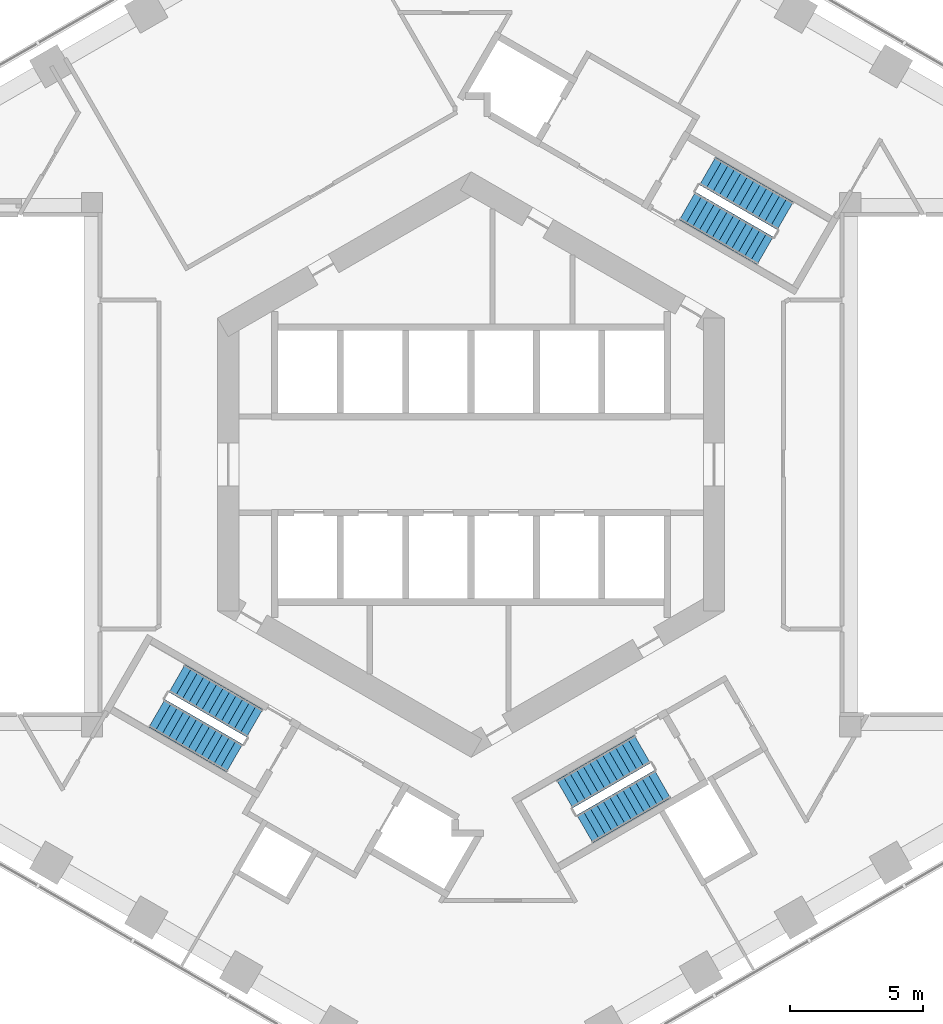
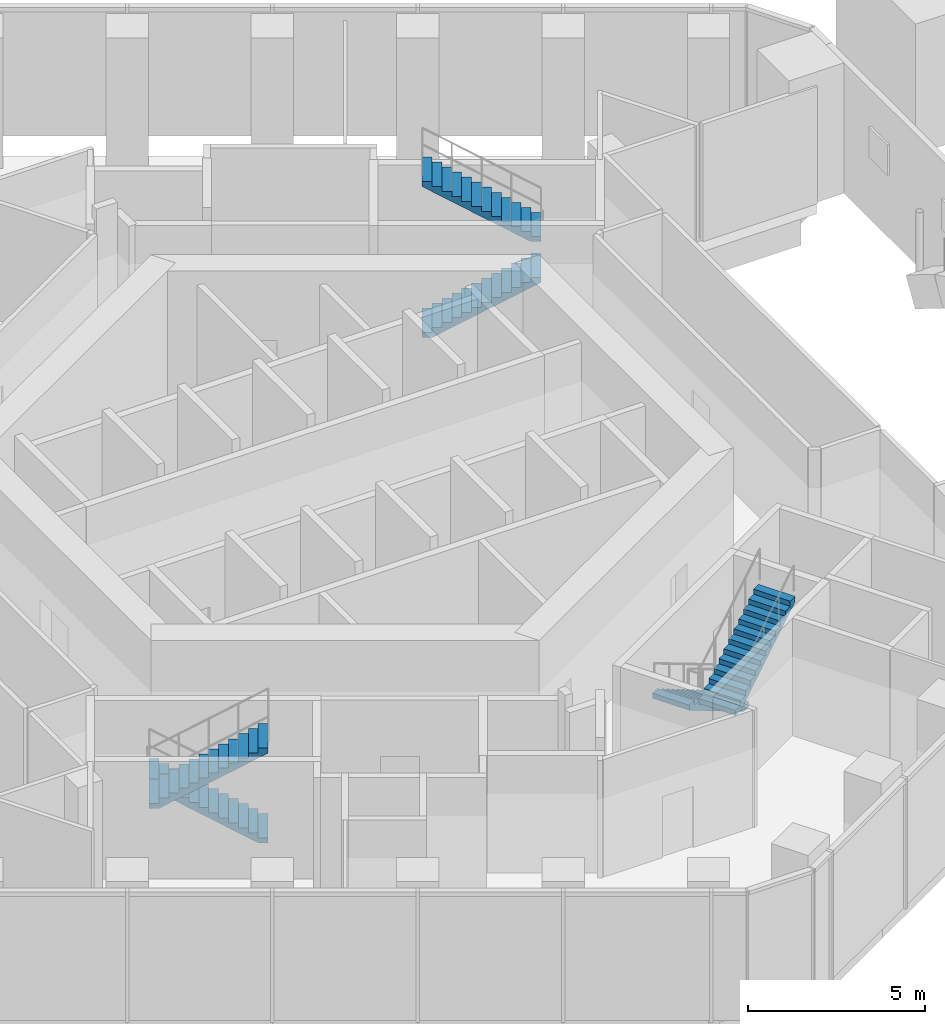
# One storey, part 12 of 14: 6 stair flights, 3 elements without a shape of their own.
"""IFC4 building model written with IfcOpenShell, lengths in metres."""

from ifc_helpers import new_model, si_unit, direction, frame, origin, place, context, subcontext, project, spatial, triangles, material, type_object, element, aggregate, save


model = new_model("IFC4")

# Units and contexts
model_context = context("Model", 3, precision=1e-05, world=origin(), true_north=direction((0.0, 1.0)))
body_context = subcontext(model_context, "Body", "Model", "MODEL_VIEW")
ifc_project = project(units=[si_unit("LENGTHUNIT", "METRE"), si_unit("AREAUNIT", "SQUARE_METRE"), si_unit("VOLUMEUNIT", "CUBIC_METRE"), si_unit("PLANEANGLEUNIT", "RADIAN"), si_unit("MASSUNIT", "GRAM", prefix="KILO")], contexts=[model_context])

# Site, building, storey
site_placement = place(None, origin())
site = spatial("IfcSite", under=ifc_project, at=site_placement, CompositionType="ELEMENT")
building_placement = place(site_placement, origin())
building = spatial("IfcBuilding", under=site, at=building_placement, Name="Ayvan Gate Tower", CompositionType="ELEMENT")
storey_placement = place(building_placement, frame((0.0, 0.0, 16.0)))
storey = spatial("IfcBuildingStorey", under=building, at=storey_placement, Name="L03", CompositionType="ELEMENT", Elevation=16.0)

# Stair, stair flights
ifc_material = material(Name="Concrete C40/50", Category="concrete")
stair_type = type_object("IfcStairType", Name="ST-EXIT", PredefinedType="HALF_TURN_STAIR", material=ifc_material)
stair_1_placement = place(storey_placement, origin())
stair_1 = element("IfcStair", 1, at=stair_1_placement, inside=storey, type_object=stair_type, Name="L03 Exit Stair S1", PredefinedType="HALF_TURN_STAIR")
stair_flight_type = type_object("IfcStairFlightType", Name="SFL-EXIT", PredefinedType="STRAIGHT", material=ifc_material)
stair_flight_1_placement = place(storey_placement, frame((8.106201171875, 9.690185546875, 0.0), z_axis=(0.0, 0.0, 1.0), x_axis=(0.866025403784, -0.5, 0.0)))
stair_flight_1 = element("IfcStairFlight", 2, at=stair_flight_1_placement, type_object=stair_flight_type, Name="STS1 flight 1", NumberOfRisers=13, NumberOfTreads=12, PredefinedType="STRAIGHT", RiserHeight=0.173076923, TreadLength=0.28, context=body_context, shape_type="Tessellation", body=[
    triangles([(0.285099, -0.599976, 0.0), (3.3605, -0.599976, 1.901004), (3.3605, -0.599976, 2.076923), (3.08, -0.599976, 2.076923), (3.08, -0.599976, 1.903846), (2.8, -0.599976, 1.903846), (2.8, -0.599976, 1.730769), (2.52, -0.599976, 1.730769), (2.52, -0.599976, 1.557692), (2.24, -0.599976, 1.557692), (2.24, -0.599976, 1.384615), (1.96, -0.599976, 1.384615), (1.96, -0.599976, 1.211538), (1.68, -0.599976, 1.211538), (1.68, -0.599976, 1.038462), (1.4, -0.599976, 1.038462), (1.4, -0.599976, 0.865385), (1.12, -0.599976, 0.865385), (1.12, -0.599976, 0.692308), (0.84, -0.599976, 0.692308), (0.84, -0.599976, 0.519231), (0.56, -0.599976, 0.519231), (0.56, -0.599976, 0.346154), (0.28, -0.599976, 0.346154), (0.28, -0.599976, 0.173077), (-0.0005, -0.599976, 0.173077), (-0.0005, -0.599976, 0.0), (0.285099, 0.0, 0.0), (3.3605, 0.0, 1.901004), (3.3605, 0.0, 2.076923), (3.08, 0.0, 2.076923), (3.08, 0.0, 1.903846), (2.8, 0.0, 1.903846), (2.8, 0.0, 1.730769), (2.52, 0.0, 1.730769), (2.52, 0.0, 1.557692), (2.24, 0.0, 1.557692), (2.24, 0.0, 1.384615), (1.96, 0.0, 1.384615), (1.96, 0.0, 1.211538), (1.68, 0.0, 1.211538), (1.68, 0.0, 1.038462), (1.4, 0.0, 1.038462), (1.4, 0.0, 0.865385), (1.12, 0.0, 0.865385), (1.12, 0.0, 0.692308), (0.84, 0.0, 0.692308), (0.84, 0.0, 0.519231), (0.56, 0.0, 0.519231), (0.56, 0.0, 0.346154), (0.28, 0.0, 0.346154), (0.28, 0.0, 0.173077), (-0.0005, 0.0, 0.173077), (-0.0005, 0.0, 0.0), (0.285099, 0.599976, 0.0), (3.3605, 0.599976, 1.901004), (3.3605, 0.599976, 2.076923), (3.08, 0.599976, 2.076923), (3.08, 0.599976, 1.903846), (2.8, 0.599976, 1.903846), (2.8, 0.599976, 1.730769), (2.52, 0.599976, 1.730769), (2.52, 0.599976, 1.557692), (2.24, 0.599976, 1.557692), (2.24, 0.599976, 1.384615), (1.96, 0.599976, 1.384615), (1.96, 0.599976, 1.211538), (1.68, 0.599976, 1.211538), (1.68, 0.599976, 1.038462), (1.4, 0.599976, 1.038462), (1.4, 0.599976, 0.865385), (1.12, 0.599976, 0.865385), (1.12, 0.599976, 0.692308), (0.84, 0.599976, 0.692308), (0.84, 0.599976, 0.519231), (0.56, 0.599976, 0.519231), (0.56, 0.599976, 0.346154), (0.28, 0.599976, 0.346154), (0.28, 0.599976, 0.173077), (-0.0005, 0.599976, 0.173077), (-0.0005, 0.599976, 0.0)], [[27, 1, 2], [81, 56, 55], [2, 3, 4], [56, 58, 57], [2, 4, 5], [56, 59, 58], [2, 5, 6], [56, 60, 59], [2, 6, 7], [56, 61, 60], [7, 8, 9], [61, 63, 62], [2, 7, 9], [56, 63, 61], [9, 10, 11], [63, 65, 64], [2, 9, 11], [56, 65, 63], [11, 12, 13], [65, 67, 66], [2, 11, 13], [56, 67, 65], [13, 14, 15], [67, 69, 68], [2, 13, 15], [56, 69, 67], [15, 16, 17], [69, 71, 70], [2, 15, 17], [56, 71, 69], [17, 18, 19], [71, 73, 72], [2, 17, 19], [56, 73, 71], [19, 20, 21], [73, 75, 74], [2, 19, 21], [56, 75, 73], [21, 22, 23], [75, 77, 76], [2, 21, 23], [56, 77, 75], [23, 24, 25], [77, 79, 78], [2, 23, 25], [56, 79, 77], [27, 2, 25], [81, 79, 56], [25, 26, 27], [79, 81, 80], [1, 28, 29], [1, 29, 2], [55, 29, 28], [55, 56, 29], [2, 29, 30], [2, 30, 3], [56, 30, 29], [56, 57, 30], [3, 30, 31], [3, 31, 4], [57, 31, 30], [57, 58, 31], [4, 31, 32], [4, 32, 5], [58, 32, 31], [58, 59, 32], [5, 32, 33], [5, 33, 6], [59, 33, 32], [59, 60, 33], [6, 33, 34], [6, 34, 7], [60, 34, 33], [60, 61, 34], [7, 34, 35], [7, 35, 8], [61, 35, 34], [61, 62, 35], [8, 35, 36], [8, 36, 9], [62, 36, 35], [62, 63, 36], [9, 36, 37], [9, 37, 10], [63, 37, 36], [63, 64, 37], [10, 37, 38], [10, 38, 11], [64, 38, 37], [64, 65, 38], [11, 38, 39], [11, 39, 12], [65, 39, 38], [65, 66, 39], [12, 39, 40], [12, 40, 13], [66, 40, 39], [66, 67, 40], [13, 40, 41], [13, 41, 14], [67, 41, 40], [67, 68, 41], [14, 41, 42], [14, 42, 15], [68, 42, 41], [68, 69, 42], [15, 42, 43], [15, 43, 16], [69, 43, 42], [69, 70, 43], [16, 43, 44], [16, 44, 17], [70, 44, 43], [70, 71, 44], [17, 44, 45], [17, 45, 18], [71, 45, 44], [71, 72, 45], [18, 45, 46], [18, 46, 19], [72, 46, 45], [72, 73, 46], [19, 46, 47], [19, 47, 20], [73, 47, 46], [73, 74, 47], [20, 47, 48], [20, 48, 21], [74, 48, 47], [74, 75, 48], [21, 48, 49], [21, 49, 22], [75, 49, 48], [75, 76, 49], [22, 49, 50], [22, 50, 23], [76, 50, 49], [76, 77, 50], [23, 50, 51], [23, 51, 24], [77, 51, 50], [77, 78, 51], [24, 51, 52], [24, 52, 25], [78, 52, 51], [78, 79, 52], [25, 52, 53], [25, 53, 26], [79, 53, 52], [79, 80, 53], [26, 53, 54], [26, 54, 27], [80, 54, 53], [80, 81, 54], [27, 54, 28], [27, 28, 1], [81, 28, 54], [81, 55, 28]], closed=True),
])
stair_flight_2_placement = place(storey_placement, frame((11.77099609375, 9.31787109375, 2.25), z_axis=(0.0, 0.0, 1.0), x_axis=(-0.866025403784, 0.5, 0.0)))
stair_flight_2 = element("IfcStairFlight", 3, at=stair_flight_2_placement, type_object=stair_flight_type, Name="STS1 flight 2", NumberOfRisers=13, NumberOfTreads=12, PredefinedType="STRAIGHT", RiserHeight=0.173076923, TreadLength=0.28, context=body_context, shape_type="Tessellation", body=[
    triangles([(0.285099, -0.599976, 0.0), (3.3605, -0.599976, 1.901004), (3.3605, -0.599976, 2.076923), (3.08, -0.599976, 2.076923), (3.08, -0.599976, 1.903846), (2.8, -0.599976, 1.903846), (2.8, -0.599976, 1.730769), (2.52, -0.599976, 1.730769), (2.52, -0.599976, 1.557692), (2.24, -0.599976, 1.557692), (2.24, -0.599976, 1.384615), (1.96, -0.599976, 1.384615), (1.96, -0.599976, 1.211538), (1.68, -0.599976, 1.211538), (1.68, -0.599976, 1.038462), (1.4, -0.599976, 1.038462), (1.4, -0.599976, 0.865385), (1.12, -0.599976, 0.865385), (1.12, -0.599976, 0.692308), (0.84, -0.599976, 0.692308), (0.84, -0.599976, 0.519231), (0.56, -0.599976, 0.519231), (0.56, -0.599976, 0.346154), (0.28, -0.599976, 0.346154), (0.28, -0.599976, 0.173077), (-0.0005, -0.599976, 0.173077), (-0.0005, -0.599976, 0.0), (0.285099, 0.0, 0.0), (3.3605, 0.0, 1.901004), (3.3605, 0.0, 2.076923), (3.08, 0.0, 2.076923), (3.08, 0.0, 1.903846), (2.8, 0.0, 1.903846), (2.8, 0.0, 1.730769), (2.52, 0.0, 1.730769), (2.52, 0.0, 1.557692), (2.24, 0.0, 1.557692), (2.24, 0.0, 1.384615), (1.96, 0.0, 1.384615), (1.96, 0.0, 1.211538), (1.68, 0.0, 1.211538), (1.68, 0.0, 1.038462), (1.4, 0.0, 1.038462), (1.4, 0.0, 0.865385), (1.12, 0.0, 0.865385), (1.12, 0.0, 0.692308), (0.84, 0.0, 0.692308), (0.84, 0.0, 0.519231), (0.56, 0.0, 0.519231), (0.56, 0.0, 0.346154), (0.28, 0.0, 0.346154), (0.28, 0.0, 0.173077), (-0.0005, 0.0, 0.173077), (-0.0005, 0.0, 0.0), (0.285099, 0.599976, 0.0), (3.3605, 0.599976, 1.901004), (3.3605, 0.599976, 2.076923), (3.08, 0.599976, 2.076923), (3.08, 0.599976, 1.903846), (2.8, 0.599976, 1.903846), (2.8, 0.599976, 1.730769), (2.52, 0.599976, 1.730769), (2.52, 0.599976, 1.557692), (2.24, 0.599976, 1.557692), (2.24, 0.599976, 1.384615), (1.96, 0.599976, 1.384615), (1.96, 0.599976, 1.211538), (1.68, 0.599976, 1.211538), (1.68, 0.599976, 1.038462), (1.4, 0.599976, 1.038462), (1.4, 0.599976, 0.865385), (1.12, 0.599976, 0.865385), (1.12, 0.599976, 0.692308), (0.84, 0.599976, 0.692308), (0.84, 0.599976, 0.519231), (0.56, 0.599976, 0.519231), (0.56, 0.599976, 0.346154), (0.28, 0.599976, 0.346154), (0.28, 0.599976, 0.173077), (-0.0005, 0.599976, 0.173077), (-0.0005, 0.599976, 0.0)], [[27, 1, 2], [81, 56, 55], [2, 3, 4], [56, 58, 57], [2, 4, 5], [56, 59, 58], [2, 5, 6], [56, 60, 59], [2, 6, 7], [56, 61, 60], [7, 8, 9], [61, 63, 62], [2, 7, 9], [56, 63, 61], [9, 10, 11], [63, 65, 64], [2, 9, 11], [56, 65, 63], [11, 12, 13], [65, 67, 66], [2, 11, 13], [56, 67, 65], [13, 14, 15], [67, 69, 68], [2, 13, 15], [56, 69, 67], [15, 16, 17], [69, 71, 70], [2, 15, 17], [56, 71, 69], [17, 18, 19], [71, 73, 72], [2, 17, 19], [56, 73, 71], [19, 20, 21], [73, 75, 74], [2, 19, 21], [56, 75, 73], [21, 22, 23], [75, 77, 76], [2, 21, 23], [56, 77, 75], [23, 24, 25], [77, 79, 78], [2, 23, 25], [56, 79, 77], [27, 2, 25], [81, 79, 56], [25, 26, 27], [79, 81, 80], [1, 28, 29], [1, 29, 2], [55, 29, 28], [55, 56, 29], [2, 29, 30], [2, 30, 3], [56, 30, 29], [56, 57, 30], [3, 30, 31], [3, 31, 4], [57, 31, 30], [57, 58, 31], [4, 31, 32], [4, 32, 5], [58, 32, 31], [58, 59, 32], [5, 32, 33], [5, 33, 6], [59, 33, 32], [59, 60, 33], [6, 33, 34], [6, 34, 7], [60, 34, 33], [60, 61, 34], [7, 34, 35], [7, 35, 8], [61, 35, 34], [61, 62, 35], [8, 35, 36], [8, 36, 9], [62, 36, 35], [62, 63, 36], [9, 36, 37], [9, 37, 10], [63, 37, 36], [63, 64, 37], [10, 37, 38], [10, 38, 11], [64, 38, 37], [64, 65, 38], [11, 38, 39], [11, 39, 12], [65, 39, 38], [65, 66, 39], [12, 39, 40], [12, 40, 13], [66, 40, 39], [66, 67, 40], [13, 40, 41], [13, 41, 14], [67, 41, 40], [67, 68, 41], [14, 41, 42], [14, 42, 15], [68, 42, 41], [68, 69, 42], [15, 42, 43], [15, 43, 16], [69, 43, 42], [69, 70, 43], [16, 43, 44], [16, 44, 17], [70, 44, 43], [70, 71, 44], [17, 44, 45], [17, 45, 18], [71, 45, 44], [71, 72, 45], [18, 45, 46], [18, 46, 19], [72, 46, 45], [72, 73, 46], [19, 46, 47], [19, 47, 20], [73, 47, 46], [73, 74, 47], [20, 47, 48], [20, 48, 21], [74, 48, 47], [74, 75, 48], [21, 48, 49], [21, 49, 22], [75, 49, 48], [75, 76, 49], [22, 49, 50], [22, 50, 23], [76, 50, 49], [76, 77, 50], [23, 50, 51], [23, 51, 24], [77, 51, 50], [77, 78, 51], [24, 51, 52], [24, 52, 25], [78, 52, 51], [78, 79, 52], [25, 52, 53], [25, 53, 26], [79, 53, 52], [79, 80, 53], [26, 53, 54], [26, 54, 27], [80, 54, 53], [80, 81, 54], [27, 54, 28], [27, 28, 1], [81, 28, 54], [81, 55, 28]], closed=True),
])
aggregate(stair_1, [stair_flight_1, stair_flight_2])

stair_2_placement = place(storey_placement, origin())
stair_2 = element("IfcStair", 4, at=stair_2_placement, inside=storey, type_object=stair_type, Name="L03 Exit Stair S2", PredefinedType="HALF_TURN_STAIR")
stair_flight_3_placement = place(storey_placement, frame((-8.106201171875, -9.690185546875, 0.0), z_axis=(0.0, 0.0, 1.0), x_axis=(-0.866025403784, 0.5, 0.0)))
stair_flight_3 = element("IfcStairFlight", 5, at=stair_flight_3_placement, type_object=stair_flight_type, Name="STS2 flight 1", NumberOfRisers=13, NumberOfTreads=12, PredefinedType="STRAIGHT", RiserHeight=0.173076923, TreadLength=0.28, context=body_context, shape_type="Tessellation", body=[
    triangles([(0.285099, -0.599976, 0.0), (3.3605, -0.599976, 1.901004), (3.3605, -0.599976, 2.076923), (3.08, -0.599976, 2.076923), (3.08, -0.599976, 1.903846), (2.8, -0.599976, 1.903846), (2.8, -0.599976, 1.730769), (2.52, -0.599976, 1.730769), (2.52, -0.599976, 1.557692), (2.24, -0.599976, 1.557692), (2.24, -0.599976, 1.384615), (1.96, -0.599976, 1.384615), (1.96, -0.599976, 1.211538), (1.68, -0.599976, 1.211538), (1.68, -0.599976, 1.038462), (1.4, -0.599976, 1.038462), (1.4, -0.599976, 0.865385), (1.12, -0.599976, 0.865385), (1.12, -0.599976, 0.692308), (0.84, -0.599976, 0.692308), (0.84, -0.599976, 0.519231), (0.56, -0.599976, 0.519231), (0.56, -0.599976, 0.346154), (0.28, -0.599976, 0.346154), (0.28, -0.599976, 0.173077), (-0.0005, -0.599976, 0.173077), (-0.0005, -0.599976, 0.0), (0.285099, 0.0, 0.0), (3.3605, 0.0, 1.901004), (3.3605, 0.0, 2.076923), (3.08, 0.0, 2.076923), (3.08, 0.0, 1.903846), (2.8, 0.0, 1.903846), (2.8, 0.0, 1.730769), (2.52, 0.0, 1.730769), (2.52, 0.0, 1.557692), (2.24, 0.0, 1.557692), (2.24, 0.0, 1.384615), (1.96, 0.0, 1.384615), (1.96, 0.0, 1.211538), (1.68, 0.0, 1.211538), (1.68, 0.0, 1.038462), (1.4, 0.0, 1.038462), (1.4, 0.0, 0.865385), (1.12, 0.0, 0.865385), (1.12, 0.0, 0.692308), (0.84, 0.0, 0.692308), (0.84, 0.0, 0.519231), (0.56, 0.0, 0.519231), (0.56, 0.0, 0.346154), (0.28, 0.0, 0.346154), (0.28, 0.0, 0.173077), (-0.0005, 0.0, 0.173077), (-0.0005, 0.0, 0.0), (0.285099, 0.599976, 0.0), (3.3605, 0.599976, 1.901004), (3.3605, 0.599976, 2.076923), (3.08, 0.599976, 2.076923), (3.08, 0.599976, 1.903846), (2.8, 0.599976, 1.903846), (2.8, 0.599976, 1.730769), (2.52, 0.599976, 1.730769), (2.52, 0.599976, 1.557692), (2.24, 0.599976, 1.557692), (2.24, 0.599976, 1.384615), (1.96, 0.599976, 1.384615), (1.96, 0.599976, 1.211538), (1.68, 0.599976, 1.211538), (1.68, 0.599976, 1.038462), (1.4, 0.599976, 1.038462), (1.4, 0.599976, 0.865385), (1.12, 0.599976, 0.865385), (1.12, 0.599976, 0.692308), (0.84, 0.599976, 0.692308), (0.84, 0.599976, 0.519231), (0.56, 0.599976, 0.519231), (0.56, 0.599976, 0.346154), (0.28, 0.599976, 0.346154), (0.28, 0.599976, 0.173077), (-0.0005, 0.599976, 0.173077), (-0.0005, 0.599976, 0.0)], [[27, 1, 2], [81, 56, 55], [2, 3, 4], [56, 58, 57], [2, 4, 5], [56, 59, 58], [2, 5, 6], [56, 60, 59], [2, 6, 7], [56, 61, 60], [7, 8, 9], [61, 63, 62], [2, 7, 9], [56, 63, 61], [9, 10, 11], [63, 65, 64], [2, 9, 11], [56, 65, 63], [11, 12, 13], [65, 67, 66], [2, 11, 13], [56, 67, 65], [13, 14, 15], [67, 69, 68], [2, 13, 15], [56, 69, 67], [15, 16, 17], [69, 71, 70], [2, 15, 17], [56, 71, 69], [17, 18, 19], [71, 73, 72], [2, 17, 19], [56, 73, 71], [19, 20, 21], [73, 75, 74], [2, 19, 21], [56, 75, 73], [21, 22, 23], [75, 77, 76], [2, 21, 23], [56, 77, 75], [23, 24, 25], [77, 79, 78], [2, 23, 25], [56, 79, 77], [27, 2, 25], [81, 79, 56], [25, 26, 27], [79, 81, 80], [1, 28, 29], [1, 29, 2], [55, 29, 28], [55, 56, 29], [2, 29, 30], [2, 30, 3], [56, 30, 29], [56, 57, 30], [3, 30, 31], [3, 31, 4], [57, 31, 30], [57, 58, 31], [4, 31, 32], [4, 32, 5], [58, 32, 31], [58, 59, 32], [5, 32, 33], [5, 33, 6], [59, 33, 32], [59, 60, 33], [6, 33, 34], [6, 34, 7], [60, 34, 33], [60, 61, 34], [7, 34, 35], [7, 35, 8], [61, 35, 34], [61, 62, 35], [8, 35, 36], [8, 36, 9], [62, 36, 35], [62, 63, 36], [9, 36, 37], [9, 37, 10], [63, 37, 36], [63, 64, 37], [10, 37, 38], [10, 38, 11], [64, 38, 37], [64, 65, 38], [11, 38, 39], [11, 39, 12], [65, 39, 38], [65, 66, 39], [12, 39, 40], [12, 40, 13], [66, 40, 39], [66, 67, 40], [13, 40, 41], [13, 41, 14], [67, 41, 40], [67, 68, 41], [14, 41, 42], [14, 42, 15], [68, 42, 41], [68, 69, 42], [15, 42, 43], [15, 43, 16], [69, 43, 42], [69, 70, 43], [16, 43, 44], [16, 44, 17], [70, 44, 43], [70, 71, 44], [17, 44, 45], [17, 45, 18], [71, 45, 44], [71, 72, 45], [18, 45, 46], [18, 46, 19], [72, 46, 45], [72, 73, 46], [19, 46, 47], [19, 47, 20], [73, 47, 46], [73, 74, 47], [20, 47, 48], [20, 48, 21], [74, 48, 47], [74, 75, 48], [21, 48, 49], [21, 49, 22], [75, 49, 48], [75, 76, 49], [22, 49, 50], [22, 50, 23], [76, 50, 49], [76, 77, 50], [23, 50, 51], [23, 51, 24], [77, 51, 50], [77, 78, 51], [24, 51, 52], [24, 52, 25], [78, 52, 51], [78, 79, 52], [25, 52, 53], [25, 53, 26], [79, 53, 52], [79, 80, 53], [26, 53, 54], [26, 54, 27], [80, 54, 53], [80, 81, 54], [27, 54, 28], [27, 28, 1], [81, 28, 54], [81, 55, 28]], closed=True),
])
stair_flight_4_placement = place(storey_placement, frame((-11.77099609375, -9.31787109375, 2.25), z_axis=(0.0, 0.0, 1.0), x_axis=(0.866025403784, -0.5, 0.0)))
stair_flight_4 = element("IfcStairFlight", 6, at=stair_flight_4_placement, type_object=stair_flight_type, Name="STS2 flight 2", NumberOfRisers=13, NumberOfTreads=12, PredefinedType="STRAIGHT", RiserHeight=0.173076923, TreadLength=0.28, context=body_context, shape_type="Tessellation", body=[
    triangles([(0.285099, -0.599976, 0.0), (3.3605, -0.599976, 1.901004), (3.3605, -0.599976, 2.076923), (3.08, -0.599976, 2.076923), (3.08, -0.599976, 1.903846), (2.8, -0.599976, 1.903846), (2.8, -0.599976, 1.730769), (2.52, -0.599976, 1.730769), (2.52, -0.599976, 1.557692), (2.24, -0.599976, 1.557692), (2.24, -0.599976, 1.384615), (1.96, -0.599976, 1.384615), (1.96, -0.599976, 1.211538), (1.68, -0.599976, 1.211538), (1.68, -0.599976, 1.038462), (1.4, -0.599976, 1.038462), (1.4, -0.599976, 0.865385), (1.12, -0.599976, 0.865385), (1.12, -0.599976, 0.692308), (0.84, -0.599976, 0.692308), (0.84, -0.599976, 0.519231), (0.56, -0.599976, 0.519231), (0.56, -0.599976, 0.346154), (0.28, -0.599976, 0.346154), (0.28, -0.599976, 0.173077), (-0.0005, -0.599976, 0.173077), (-0.0005, -0.599976, 0.0), (0.285099, 0.0, 0.0), (3.3605, 0.0, 1.901004), (3.3605, 0.0, 2.076923), (3.08, 0.0, 2.076923), (3.08, 0.0, 1.903846), (2.8, 0.0, 1.903846), (2.8, 0.0, 1.730769), (2.52, 0.0, 1.730769), (2.52, 0.0, 1.557692), (2.24, 0.0, 1.557692), (2.24, 0.0, 1.384615), (1.96, 0.0, 1.384615), (1.96, 0.0, 1.211538), (1.68, 0.0, 1.211538), (1.68, 0.0, 1.038462), (1.4, 0.0, 1.038462), (1.4, 0.0, 0.865385), (1.12, 0.0, 0.865385), (1.12, 0.0, 0.692308), (0.84, 0.0, 0.692308), (0.84, 0.0, 0.519231), (0.56, 0.0, 0.519231), (0.56, 0.0, 0.346154), (0.28, 0.0, 0.346154), (0.28, 0.0, 0.173077), (-0.0005, 0.0, 0.173077), (-0.0005, 0.0, 0.0), (0.285099, 0.599976, 0.0), (3.3605, 0.599976, 1.901004), (3.3605, 0.599976, 2.076923), (3.08, 0.599976, 2.076923), (3.08, 0.599976, 1.903846), (2.8, 0.599976, 1.903846), (2.8, 0.599976, 1.730769), (2.52, 0.599976, 1.730769), (2.52, 0.599976, 1.557692), (2.24, 0.599976, 1.557692), (2.24, 0.599976, 1.384615), (1.96, 0.599976, 1.384615), (1.96, 0.599976, 1.211538), (1.68, 0.599976, 1.211538), (1.68, 0.599976, 1.038462), (1.4, 0.599976, 1.038462), (1.4, 0.599976, 0.865385), (1.12, 0.599976, 0.865385), (1.12, 0.599976, 0.692308), (0.84, 0.599976, 0.692308), (0.84, 0.599976, 0.519231), (0.56, 0.599976, 0.519231), (0.56, 0.599976, 0.346154), (0.28, 0.599976, 0.346154), (0.28, 0.599976, 0.173077), (-0.0005, 0.599976, 0.173077), (-0.0005, 0.599976, 0.0)], [[27, 1, 2], [81, 56, 55], [2, 3, 4], [56, 58, 57], [2, 4, 5], [56, 59, 58], [2, 5, 6], [56, 60, 59], [2, 6, 7], [56, 61, 60], [7, 8, 9], [61, 63, 62], [2, 7, 9], [56, 63, 61], [9, 10, 11], [63, 65, 64], [2, 9, 11], [56, 65, 63], [11, 12, 13], [65, 67, 66], [2, 11, 13], [56, 67, 65], [13, 14, 15], [67, 69, 68], [2, 13, 15], [56, 69, 67], [15, 16, 17], [69, 71, 70], [2, 15, 17], [56, 71, 69], [17, 18, 19], [71, 73, 72], [2, 17, 19], [56, 73, 71], [19, 20, 21], [73, 75, 74], [2, 19, 21], [56, 75, 73], [21, 22, 23], [75, 77, 76], [2, 21, 23], [56, 77, 75], [23, 24, 25], [77, 79, 78], [2, 23, 25], [56, 79, 77], [27, 2, 25], [81, 79, 56], [25, 26, 27], [79, 81, 80], [1, 28, 29], [1, 29, 2], [55, 29, 28], [55, 56, 29], [2, 29, 30], [2, 30, 3], [56, 30, 29], [56, 57, 30], [3, 30, 31], [3, 31, 4], [57, 31, 30], [57, 58, 31], [4, 31, 32], [4, 32, 5], [58, 32, 31], [58, 59, 32], [5, 32, 33], [5, 33, 6], [59, 33, 32], [59, 60, 33], [6, 33, 34], [6, 34, 7], [60, 34, 33], [60, 61, 34], [7, 34, 35], [7, 35, 8], [61, 35, 34], [61, 62, 35], [8, 35, 36], [8, 36, 9], [62, 36, 35], [62, 63, 36], [9, 36, 37], [9, 37, 10], [63, 37, 36], [63, 64, 37], [10, 37, 38], [10, 38, 11], [64, 38, 37], [64, 65, 38], [11, 38, 39], [11, 39, 12], [65, 39, 38], [65, 66, 39], [12, 39, 40], [12, 40, 13], [66, 40, 39], [66, 67, 40], [13, 40, 41], [13, 41, 14], [67, 41, 40], [67, 68, 41], [14, 41, 42], [14, 42, 15], [68, 42, 41], [68, 69, 42], [15, 42, 43], [15, 43, 16], [69, 43, 42], [69, 70, 43], [16, 43, 44], [16, 44, 17], [70, 44, 43], [70, 71, 44], [17, 44, 45], [17, 45, 18], [71, 45, 44], [71, 72, 45], [18, 45, 46], [18, 46, 19], [72, 46, 45], [72, 73, 46], [19, 46, 47], [19, 47, 20], [73, 47, 46], [73, 74, 47], [20, 47, 48], [20, 48, 21], [74, 48, 47], [74, 75, 48], [21, 48, 49], [21, 49, 22], [75, 49, 48], [75, 76, 49], [22, 49, 50], [22, 50, 23], [76, 50, 49], [76, 77, 50], [23, 50, 51], [23, 51, 24], [77, 51, 50], [77, 78, 51], [24, 51, 52], [24, 52, 25], [78, 52, 51], [78, 79, 52], [25, 52, 53], [25, 53, 26], [79, 53, 52], [79, 80, 53], [26, 53, 54], [26, 54, 27], [80, 54, 53], [80, 81, 54], [27, 54, 28], [27, 28, 1], [81, 28, 54], [81, 55, 28]], closed=True),
])
aggregate(stair_2, [stair_flight_3, stair_flight_4])

stair_3_placement = place(storey_placement, origin())
stair_3 = element("IfcStair", 7, at=stair_3_placement, inside=storey, type_object=stair_type, Name="L03 Exit Stair S3", PredefinedType="HALF_TURN_STAIR")
stair_flight_5_placement = place(storey_placement, frame((6.417236328125, -10.665283203125, 0.0), z_axis=(0.0, 0.0, 1.0), x_axis=(-0.866025403784, -0.5, 0.0)))
stair_flight_5 = element("IfcStairFlight", 8, at=stair_flight_5_placement, type_object=stair_flight_type, Name="STS3 flight 1", NumberOfRisers=13, NumberOfTreads=12, PredefinedType="STRAIGHT", RiserHeight=0.173076923, TreadLength=0.28, context=body_context, shape_type="Tessellation", body=[
    triangles([(0.285099, -0.599976, 0.0), (3.3605, -0.599976, 1.901004), (3.3605, -0.599976, 2.076923), (3.08, -0.599976, 2.076923), (3.08, -0.599976, 1.903846), (2.8, -0.599976, 1.903846), (2.8, -0.599976, 1.730769), (2.52, -0.599976, 1.730769), (2.52, -0.599976, 1.557692), (2.24, -0.599976, 1.557692), (2.24, -0.599976, 1.384615), (1.96, -0.599976, 1.384615), (1.96, -0.599976, 1.211538), (1.68, -0.599976, 1.211538), (1.68, -0.599976, 1.038462), (1.4, -0.599976, 1.038462), (1.4, -0.599976, 0.865385), (1.12, -0.599976, 0.865385), (1.12, -0.599976, 0.692308), (0.84, -0.599976, 0.692308), (0.84, -0.599976, 0.519231), (0.56, -0.599976, 0.519231), (0.56, -0.599976, 0.346154), (0.28, -0.599976, 0.346154), (0.28, -0.599976, 0.173077), (-0.0005, -0.599976, 0.173077), (-0.0005, -0.599976, 0.0), (0.285099, 0.0, 0.0), (3.3605, 0.0, 1.901004), (3.3605, 0.0, 2.076923), (3.08, 0.0, 2.076923), (3.08, 0.0, 1.903846), (2.8, 0.0, 1.903846), (2.8, 0.0, 1.730769), (2.52, 0.0, 1.730769), (2.52, 0.0, 1.557692), (2.24, 0.0, 1.557692), (2.24, 0.0, 1.384615), (1.96, 0.0, 1.384615), (1.96, 0.0, 1.211538), (1.68, 0.0, 1.211538), (1.68, 0.0, 1.038462), (1.4, 0.0, 1.038462), (1.4, 0.0, 0.865385), (1.12, 0.0, 0.865385), (1.12, 0.0, 0.692308), (0.84, 0.0, 0.692308), (0.84, 0.0, 0.519231), (0.56, 0.0, 0.519231), (0.56, 0.0, 0.346154), (0.28, 0.0, 0.346154), (0.28, 0.0, 0.173077), (-0.0005, 0.0, 0.173077), (-0.0005, 0.0, 0.0), (0.285099, 0.599976, 0.0), (3.3605, 0.599976, 1.901004), (3.3605, 0.599976, 2.076923), (3.08, 0.599976, 2.076923), (3.08, 0.599976, 1.903846), (2.8, 0.599976, 1.903846), (2.8, 0.599976, 1.730769), (2.52, 0.599976, 1.730769), (2.52, 0.599976, 1.557692), (2.24, 0.599976, 1.557692), (2.24, 0.599976, 1.384615), (1.96, 0.599976, 1.384615), (1.96, 0.599976, 1.211538), (1.68, 0.599976, 1.211538), (1.68, 0.599976, 1.038462), (1.4, 0.599976, 1.038462), (1.4, 0.599976, 0.865385), (1.12, 0.599976, 0.865385), (1.12, 0.599976, 0.692308), (0.84, 0.599976, 0.692308), (0.84, 0.599976, 0.519231), (0.56, 0.599976, 0.519231), (0.56, 0.599976, 0.346154), (0.28, 0.599976, 0.346154), (0.28, 0.599976, 0.173077), (-0.0005, 0.599976, 0.173077), (-0.0005, 0.599976, 0.0)], [[27, 1, 2], [81, 56, 55], [2, 3, 4], [56, 58, 57], [2, 4, 5], [56, 59, 58], [2, 5, 6], [56, 60, 59], [2, 6, 7], [56, 61, 60], [7, 8, 9], [61, 63, 62], [2, 7, 9], [56, 63, 61], [9, 10, 11], [63, 65, 64], [2, 9, 11], [56, 65, 63], [11, 12, 13], [65, 67, 66], [2, 11, 13], [56, 67, 65], [13, 14, 15], [67, 69, 68], [2, 13, 15], [56, 69, 67], [15, 16, 17], [69, 71, 70], [2, 15, 17], [56, 71, 69], [17, 18, 19], [71, 73, 72], [2, 17, 19], [56, 73, 71], [19, 20, 21], [73, 75, 74], [2, 19, 21], [56, 75, 73], [21, 22, 23], [75, 77, 76], [2, 21, 23], [56, 77, 75], [23, 24, 25], [77, 79, 78], [2, 23, 25], [56, 79, 77], [27, 2, 25], [81, 79, 56], [25, 26, 27], [79, 81, 80], [1, 28, 29], [1, 29, 2], [55, 29, 28], [55, 56, 29], [2, 29, 30], [2, 30, 3], [56, 30, 29], [56, 57, 30], [3, 30, 31], [3, 31, 4], [57, 31, 30], [57, 58, 31], [4, 31, 32], [4, 32, 5], [58, 32, 31], [58, 59, 32], [5, 32, 33], [5, 33, 6], [59, 33, 32], [59, 60, 33], [6, 33, 34], [6, 34, 7], [60, 34, 33], [60, 61, 34], [7, 34, 35], [7, 35, 8], [61, 35, 34], [61, 62, 35], [8, 35, 36], [8, 36, 9], [62, 36, 35], [62, 63, 36], [9, 36, 37], [9, 37, 10], [63, 37, 36], [63, 64, 37], [10, 37, 38], [10, 38, 11], [64, 38, 37], [64, 65, 38], [11, 38, 39], [11, 39, 12], [65, 39, 38], [65, 66, 39], [12, 39, 40], [12, 40, 13], [66, 40, 39], [66, 67, 40], [13, 40, 41], [13, 41, 14], [67, 41, 40], [67, 68, 41], [14, 41, 42], [14, 42, 15], [68, 42, 41], [68, 69, 42], [15, 42, 43], [15, 43, 16], [69, 43, 42], [69, 70, 43], [16, 43, 44], [16, 44, 17], [70, 44, 43], [70, 71, 44], [17, 44, 45], [17, 45, 18], [71, 45, 44], [71, 72, 45], [18, 45, 46], [18, 46, 19], [72, 46, 45], [72, 73, 46], [19, 46, 47], [19, 47, 20], [73, 47, 46], [73, 74, 47], [20, 47, 48], [20, 48, 21], [74, 48, 47], [74, 75, 48], [21, 48, 49], [21, 49, 22], [75, 49, 48], [75, 76, 49], [22, 49, 50], [22, 50, 23], [76, 50, 49], [76, 77, 50], [23, 50, 51], [23, 51, 24], [77, 51, 50], [77, 78, 51], [24, 51, 52], [24, 52, 25], [78, 52, 51], [78, 79, 52], [25, 52, 53], [25, 53, 26], [79, 53, 52], [79, 80, 53], [26, 53, 54], [26, 54, 27], [80, 54, 53], [80, 81, 54], [27, 54, 28], [27, 28, 1], [81, 28, 54], [81, 55, 28]], closed=True),
])
stair_flight_6_placement = place(storey_placement, frame((4.262451171875, -13.65283203125, 2.25), z_axis=(0.0, 0.0, 1.0), x_axis=(0.866025403784, 0.5, 0.0)))
stair_flight_6 = element("IfcStairFlight", 9, at=stair_flight_6_placement, type_object=stair_flight_type, Name="STS3 flight 2", NumberOfRisers=13, NumberOfTreads=12, PredefinedType="STRAIGHT", RiserHeight=0.173076923, TreadLength=0.28, context=body_context, shape_type="Tessellation", body=[
    triangles([(0.285099, -0.599976, 0.0), (3.3605, -0.599976, 1.901004), (3.3605, -0.599976, 2.076923), (3.08, -0.599976, 2.076923), (3.08, -0.599976, 1.903846), (2.8, -0.599976, 1.903846), (2.8, -0.599976, 1.730769), (2.52, -0.599976, 1.730769), (2.52, -0.599976, 1.557692), (2.24, -0.599976, 1.557692), (2.24, -0.599976, 1.384615), (1.96, -0.599976, 1.384615), (1.96, -0.599976, 1.211538), (1.68, -0.599976, 1.211538), (1.68, -0.599976, 1.038462), (1.4, -0.599976, 1.038462), (1.4, -0.599976, 0.865385), (1.12, -0.599976, 0.865385), (1.12, -0.599976, 0.692308), (0.84, -0.599976, 0.692308), (0.84, -0.599976, 0.519231), (0.56, -0.599976, 0.519231), (0.56, -0.599976, 0.346154), (0.28, -0.599976, 0.346154), (0.28, -0.599976, 0.173077), (-0.0005, -0.599976, 0.173077), (-0.0005, -0.599976, 0.0), (0.285099, 0.0, 0.0), (3.3605, 0.0, 1.901004), (3.3605, 0.0, 2.076923), (3.08, 0.0, 2.076923), (3.08, 0.0, 1.903846), (2.8, 0.0, 1.903846), (2.8, 0.0, 1.730769), (2.52, 0.0, 1.730769), (2.52, 0.0, 1.557692), (2.24, 0.0, 1.557692), (2.24, 0.0, 1.384615), (1.96, 0.0, 1.384615), (1.96, 0.0, 1.211538), (1.68, 0.0, 1.211538), (1.68, 0.0, 1.038462), (1.4, 0.0, 1.038462), (1.4, 0.0, 0.865385), (1.12, 0.0, 0.865385), (1.12, 0.0, 0.692308), (0.84, 0.0, 0.692308), (0.84, 0.0, 0.519231), (0.56, 0.0, 0.519231), (0.56, 0.0, 0.346154), (0.28, 0.0, 0.346154), (0.28, 0.0, 0.173077), (-0.0005, 0.0, 0.173077), (-0.0005, 0.0, 0.0), (0.285099, 0.599976, 0.0), (3.3605, 0.599976, 1.901004), (3.3605, 0.599976, 2.076923), (3.08, 0.599976, 2.076923), (3.08, 0.599976, 1.903846), (2.8, 0.599976, 1.903846), (2.8, 0.599976, 1.730769), (2.52, 0.599976, 1.730769), (2.52, 0.599976, 1.557692), (2.24, 0.599976, 1.557692), (2.24, 0.599976, 1.384615), (1.96, 0.599976, 1.384615), (1.96, 0.599976, 1.211538), (1.68, 0.599976, 1.211538), (1.68, 0.599976, 1.038462), (1.4, 0.599976, 1.038462), (1.4, 0.599976, 0.865385), (1.12, 0.599976, 0.865385), (1.12, 0.599976, 0.692308), (0.84, 0.599976, 0.692308), (0.84, 0.599976, 0.519231), (0.56, 0.599976, 0.519231), (0.56, 0.599976, 0.346154), (0.28, 0.599976, 0.346154), (0.28, 0.599976, 0.173077), (-0.0005, 0.599976, 0.173077), (-0.0005, 0.599976, 0.0)], [[27, 1, 2], [81, 56, 55], [2, 3, 4], [56, 58, 57], [2, 4, 5], [56, 59, 58], [2, 5, 6], [56, 60, 59], [2, 6, 7], [56, 61, 60], [7, 8, 9], [61, 63, 62], [2, 7, 9], [56, 63, 61], [9, 10, 11], [63, 65, 64], [2, 9, 11], [56, 65, 63], [11, 12, 13], [65, 67, 66], [2, 11, 13], [56, 67, 65], [13, 14, 15], [67, 69, 68], [2, 13, 15], [56, 69, 67], [15, 16, 17], [69, 71, 70], [2, 15, 17], [56, 71, 69], [17, 18, 19], [71, 73, 72], [2, 17, 19], [56, 73, 71], [19, 20, 21], [73, 75, 74], [2, 19, 21], [56, 75, 73], [21, 22, 23], [75, 77, 76], [2, 21, 23], [56, 77, 75], [23, 24, 25], [77, 79, 78], [2, 23, 25], [56, 79, 77], [27, 2, 25], [81, 79, 56], [25, 26, 27], [79, 81, 80], [1, 28, 29], [1, 29, 2], [55, 29, 28], [55, 56, 29], [2, 29, 30], [2, 30, 3], [56, 30, 29], [56, 57, 30], [3, 30, 31], [3, 31, 4], [57, 31, 30], [57, 58, 31], [4, 31, 32], [4, 32, 5], [58, 32, 31], [58, 59, 32], [5, 32, 33], [5, 33, 6], [59, 33, 32], [59, 60, 33], [6, 33, 34], [6, 34, 7], [60, 34, 33], [60, 61, 34], [7, 34, 35], [7, 35, 8], [61, 35, 34], [61, 62, 35], [8, 35, 36], [8, 36, 9], [62, 36, 35], [62, 63, 36], [9, 36, 37], [9, 37, 10], [63, 37, 36], [63, 64, 37], [10, 37, 38], [10, 38, 11], [64, 38, 37], [64, 65, 38], [11, 38, 39], [11, 39, 12], [65, 39, 38], [65, 66, 39], [12, 39, 40], [12, 40, 13], [66, 40, 39], [66, 67, 40], [13, 40, 41], [13, 41, 14], [67, 41, 40], [67, 68, 41], [14, 41, 42], [14, 42, 15], [68, 42, 41], [68, 69, 42], [15, 42, 43], [15, 43, 16], [69, 43, 42], [69, 70, 43], [16, 43, 44], [16, 44, 17], [70, 44, 43], [70, 71, 44], [17, 44, 45], [17, 45, 18], [71, 45, 44], [71, 72, 45], [18, 45, 46], [18, 46, 19], [72, 46, 45], [72, 73, 46], [19, 46, 47], [19, 47, 20], [73, 47, 46], [73, 74, 47], [20, 47, 48], [20, 48, 21], [74, 48, 47], [74, 75, 48], [21, 48, 49], [21, 49, 22], [75, 49, 48], [75, 76, 49], [22, 49, 50], [22, 50, 23], [76, 50, 49], [76, 77, 50], [23, 50, 51], [23, 51, 24], [77, 51, 50], [77, 78, 51], [24, 51, 52], [24, 52, 25], [78, 52, 51], [78, 79, 52], [25, 52, 53], [25, 53, 26], [79, 53, 52], [79, 80, 53], [26, 53, 54], [26, 54, 27], [80, 54, 53], [80, 81, 54], [27, 54, 28], [27, 28, 1], [81, 28, 54], [81, 55, 28]], closed=True),
])
aggregate(stair_3, [stair_flight_5, stair_flight_6])

save(model, "model.ifc")
